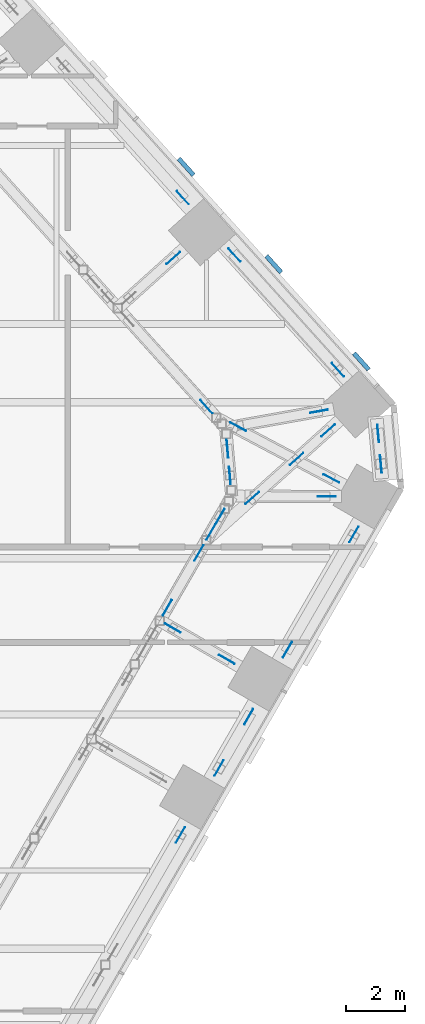
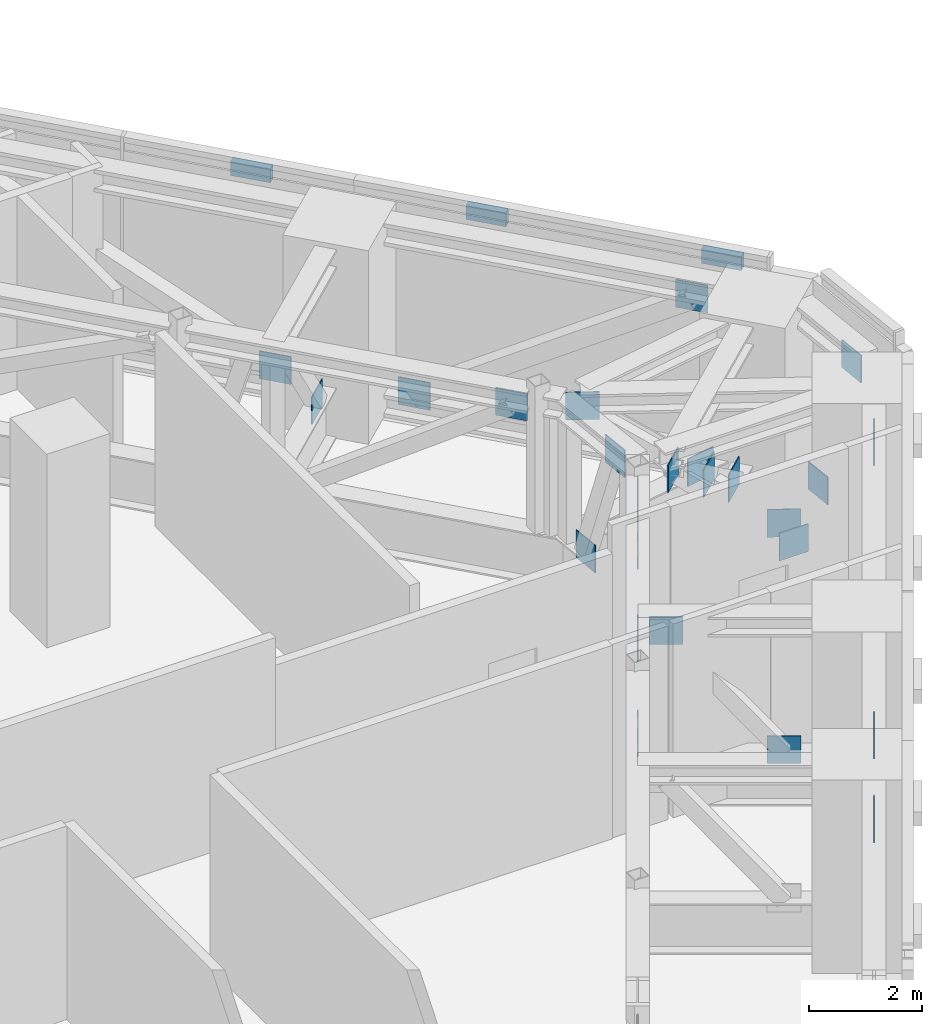
# One storey, part 33 of 36: 30 discrete accessories.
"""IFC4 building model written with IfcOpenShell, lengths in metres."""

from ifc_helpers import new_model, si_unit, direction, frame, origin, origin_2d, place, context, subcontext, project, spatial, rectangle, extrude, material, type_object, element, save


model = new_model("IFC4")

# Units and contexts
model_context = context("Model", 3, precision=1e-05, world=origin(), true_north=direction((0.0, 1.0)))
body_context = subcontext(model_context, "Body", "Model", "MODEL_VIEW")
ifc_project = project(units=[si_unit("LENGTHUNIT", "METRE"), si_unit("AREAUNIT", "SQUARE_METRE"), si_unit("VOLUMEUNIT", "CUBIC_METRE"), si_unit("PLANEANGLEUNIT", "RADIAN"), si_unit("MASSUNIT", "GRAM", prefix="KILO")], contexts=[model_context])

# Site, building, storey
site_placement = place(None, origin())
site = spatial("IfcSite", under=ifc_project, at=site_placement, CompositionType="ELEMENT")
building_placement = place(site_placement, origin())
building = spatial("IfcBuilding", under=site, at=building_placement, Name="Isthmus Gate Tower", CompositionType="ELEMENT")
storey_placement = place(building_placement, frame((0.0, 0.0, 117.14990234375)))
storey = spatial("IfcBuildingStorey", under=building, at=storey_placement, Name="L28", CompositionType="ELEMENT", Elevation=117.14990234375)

# Discrete accessories
ifc_material_1 = material(Name="Structural steel ASTM A572 Gr 50, white paint system", Category="steel")
discrete_accessory_type_1 = type_object("IfcDiscreteAccessoryType", Name="FIN BRACKET 748 X 150 X 300", PredefinedType="BRACKET", material=ifc_material_1)
for number, where, z_axis, x_axis, name in (
    (1, (36.868896484375, 6.2421875, 3.9501953125), (0.0, 0.0, 1.0), (0.743144825477, 0.669130606359, 0.0), "FIN BRACKET"),
    (2, (33.9248046875, 9.511962890625, 3.9501953125), (0.0, 0.0, 1.0), (0.743144825477, 0.669130606359, 0.0), "FIN BRACKET"),
    (3, (30.98046875, 12.78173828125, 3.9501953125), (0.0, 0.0, 1.0), (0.743144825477, 0.669130606359, 0.0), "FIN BRACKET"),
):
    element("IfcDiscreteAccessory", number, at=place(storey_placement, frame(where, z_axis=z_axis, x_axis=x_axis)), inside=storey, type_object=discrete_accessory_type_1, Name=name, PredefinedType="BRACKET", context=body_context, shape_type="SweptSolid", body=[
        extrude(rectangle(XDim=0.14990234375, YDim=0.748046875, at=origin_2d()), origin(), (0.0, 0.0, 1.0), 0.300048828125),
    ])
ifc_material_2 = material(Name="Structural steel ASTM A992 Gr 50", Category="steel")
discrete_accessory_type_2 = type_object("IfcDiscreteAccessoryType", Name="GUSSET PLATE 600 X 20", PredefinedType="USERDEFINED", material=ifc_material_2)
for number, where, z_axis, x_axis, name in (
    (4, (30.86572265625, 11.7509765625, 0.1826171875), (0.0, 0.0, 1.0), (0.669130606359, -0.743144825477, 0.0), "GUSSET PLATE"),
    (5, (32.60546875, 9.81884765625, 0.1826171875), (0.0, 0.0, 1.0), (0.669130606359, -0.743144825477, 0.0), "GUSSET PLATE"),
    (6, (36.077880859375, 5.96240234375, 3.41748046875), (0.0, 0.0, 1.0), (0.669130606359, -0.743144825477, 0.0), "GUSSET PLATE"),
    (7, (37.434814453125, 3.820068359375, 0.1826171875), (0.0, 0.0, 1.0), (0.089396669717, -0.995996102123, 0.0), "GUSSET PLATE"),
    (8, (37.52685546875, 2.79638671875, 3.41748046875), (0.0, 0.0, 1.0), (0.089396669717, -0.995996102123, 0.0), "GUSSET PLATE"),
    (9, (36.617919921875, 0.424072265625, 3.41748046875), (0.0, 0.0, 1.0), (-0.5, -0.866025403784, 0.0), "GUSSET PLATE"),
    (10, (34.383056640625, -3.446533203125, 0.1826171875), (0.0, 0.0, 1.0), (-0.5, -0.866025403784, 0.0), "GUSSET PLATE"),
    (11, (33.083251953125, -5.6982421875, 0.1826171875), (0.0, 0.0, 1.0), (-0.5, -0.866025403784, 0.0), "GUSSET PLATE"),
    (12, (32.086669921875, -7.424072265625, 3.41748046875), (0.0, 0.0, 1.0), (-0.5, -0.866025403784, 0.0), "GUSSET PLATE"),
    (13, (30.78662109375, -9.67578125, 3.41748046875), (0.0, 0.0, 1.0), (0.5, 0.866025403784, 0.0), "GUSSET PLATE"),
    (14, (32.347412109375, -3.7724609375, 0.7890625), (0.0, 0.0, 1.0), (-0.866025403784, 0.5, 0.0), "GUSSET PLATE"),
    (15, (30.52880859375, -2.722412109375, 3.374755859375), (0.0, 0.0, 1.0), (-0.866025403784, 0.5, 0.0), "GUSSET PLATE"),
    (16, (35.85888671875, 2.3076171875, 0.7890625), (0.0, 0.0, 1.0), (-0.884013309949, 0.467461728737, 0.0), "GUSSET PLATE"),
    (17, (32.7265625, 4.04736328125, 3.374755859375), (0.0, 0.0, 1.0), (-0.884013309949, 0.467461728737, 0.0), "GUSSET PLATE"),
    (18, (35.7587890625, 3.92578125, 0.7890625), (0.0, 0.0, 1.0), (-0.743144825571, -0.669130606255, 0.0), "GUSSET PLATE"),
    (19, (34.693603515625, 2.966552734375, 1.8515625), (0.0, 0.0, 1.0), (-0.743144825571, -0.669130606255, 0.0), "GUSSET PLATE"),
    (20, (33.19921875, 1.651611328125, 3.26953125), (0.0, 0.0, 1.0), (-0.743144825571, -0.669130606255, 0.0), "GUSSET PLATE"),
    (21, (30.546630859375, 9.71435546875, 0.7890625), (0.0, 0.0, 1.0), (-0.743144825477, -0.669130606359, 0.0), "GUSSET PLATE"),
    (22, (35.4453125, 4.56640625, 0.7890625), (0.0, 0.0, 1.0), (-0.98432967883, -0.176337980524, 0.0), "GUSSET PLATE"),
    (23, (35.7080078125, 1.703857421875, 0.7890625), (0.0, 0.0, 1.0), (-0.999995350802, 0.003049323715, 0.0), "GUSSET PLATE"),
    (24, (31.66015625, 4.72265625, 3.374755859375), (0.0, 0.0, 1.0), (0.669130606359, -0.743144825477, 0.0), "GUSSET PLATE"),
    (25, (32.36962890625, 3.306884765625, 0.7890625), (0.0, 0.0, 1.0), (0.089396669717, -0.995996102123, 0.0), "GUSSET PLATE"),
    (26, (32.4501953125, 2.410400390625, 3.374755859375), (0.0, 0.0, 1.0), (0.089396669717, -0.995996102123, 0.0), "GUSSET PLATE"),
    (27, (31.81591796875, 0.5068359375, 0.7890625), (0.0, 0.0, 1.0), (0.5, 0.866025403784, 0.0), "GUSSET PLATE"),
    (28, (32.115966796875, 1.0263671875, 3.374755859375), (0.0, 0.0, 1.0), (0.5, 0.866025403784, 0.0), "GUSSET PLATE"),
    (29, (30.345703125, -2.039794921875, 0.7890625), (0.0, 0.0, 1.0), (0.5, 0.866025403784, 0.0), "GUSSET PLATE"),
    (30, (31.408203125, -0.199462890625, 3.374755859375), (0.0, 0.0, 1.0), (0.5, 0.866025403784, 0.0), "GUSSET PLATE"),
):
    element("IfcDiscreteAccessory", number, at=place(storey_placement, frame(where, z_axis=z_axis, x_axis=x_axis)), inside=storey, type_object=discrete_accessory_type_2, Name=name, ObjectType="GUSSET PLATE", PredefinedType="USERDEFINED", context=body_context, shape_type="SweptSolid", body=[
        extrude(rectangle(XDim=0.60009765625, YDim=0.02001953125, at=origin_2d()), origin(), (0.0, 0.0, 1.0), 0.60009765625),
    ])

save(model, "model.ifc")
